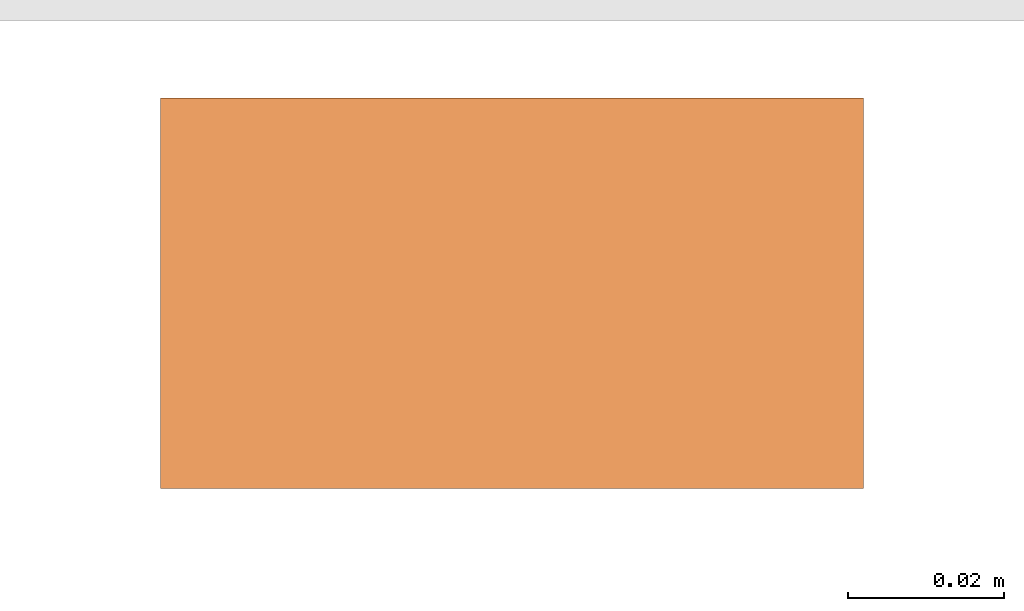
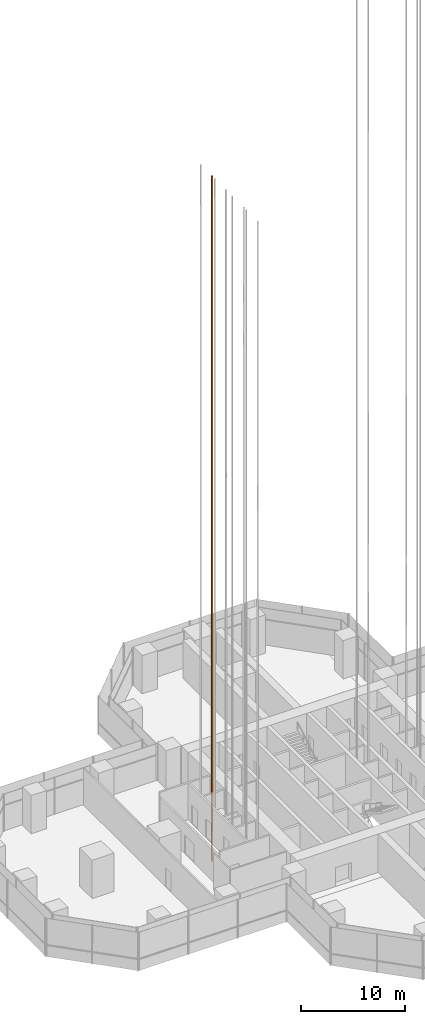
# One storey, part 33 of 34: 1 proxy.
"""IFC4 building model written with IfcOpenShell, lengths in metres."""

from ifc_helpers import new_model, si_unit, direction, frame, origin, origin_2d, place, context, subcontext, project, spatial, rectangle, extrude, material, element, save


model = new_model("IFC4")

# Units and contexts
model_context = context("Model", 3, precision=1e-05, world=origin(), true_north=direction((0.0, 1.0)))
body_context = subcontext(model_context, "Body", "Model", "MODEL_VIEW")
ifc_project = project(units=[si_unit("LENGTHUNIT", "METRE"), si_unit("AREAUNIT", "SQUARE_METRE"), si_unit("VOLUMEUNIT", "CUBIC_METRE"), si_unit("PLANEANGLEUNIT", "RADIAN"), si_unit("MASSUNIT", "GRAM", prefix="KILO")], contexts=[model_context])

# Site, building, storey
site_placement = place(None, origin())
site = spatial("IfcSite", under=ifc_project, at=site_placement, CompositionType="ELEMENT")
building_placement = place(site_placement, origin())
building = spatial("IfcBuilding", under=site, at=building_placement, Name="Mizan Broadcast Tower", CompositionType="ELEMENT")
storey_placement = place(building_placement, frame((0.0, 0.0, 194.39990234375)))
storey = spatial("IfcBuildingStorey", under=building, at=storey_placement, Name="L45", CompositionType="ELEMENT", Elevation=194.39990234375)

# Proxy
ifc_material = material(Name="Steel guide rail", Category="steel")
proxy_placement = place(storey_placement, frame((-12.27490234375, 3.31494140625, -3.89990234375), z_axis=(0.0, 0.0, 1.0), x_axis=(1.0, 0.0, 0.0)))
element("IfcBuildingElementProxy", 1, at=proxy_placement, inside=storey, material=ifc_material, Name="Guide rail LC1-1", PredefinedType="NOTDEFINED", context=body_context, shape_type="SweptSolid", body=[
    extrude(rectangle(XDim=0.090087890625, YDim=0.050048828125, at=origin_2d()), origin(), (0.0, 0.0, 1.0), 80.52001953125),
])

save(model, "model.ifc")
